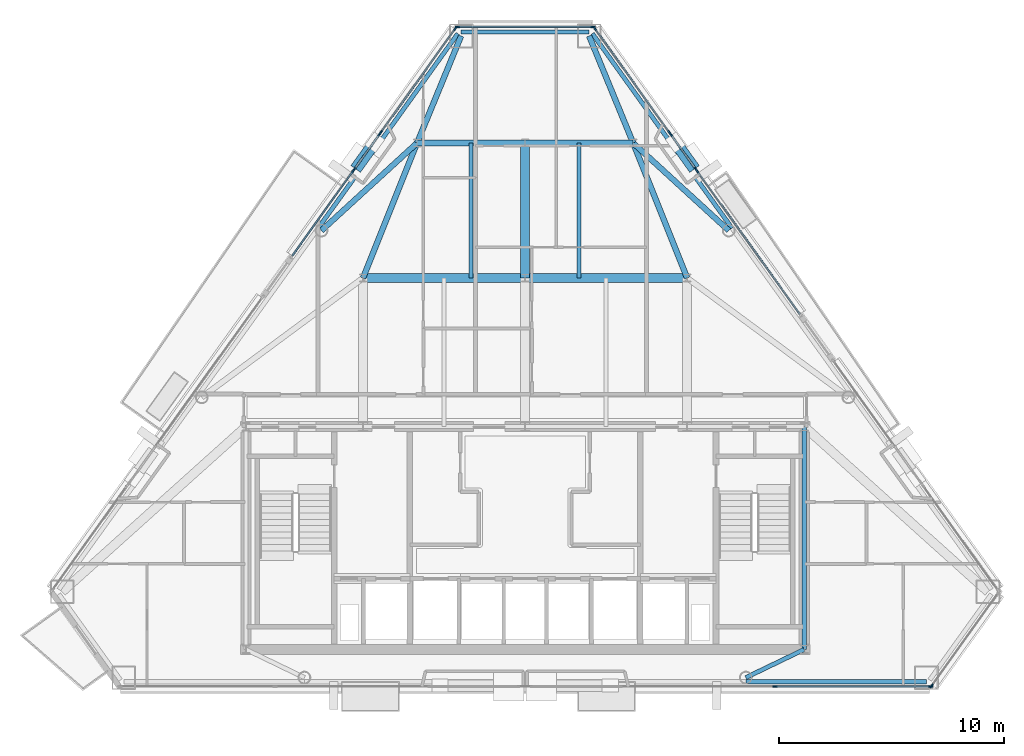
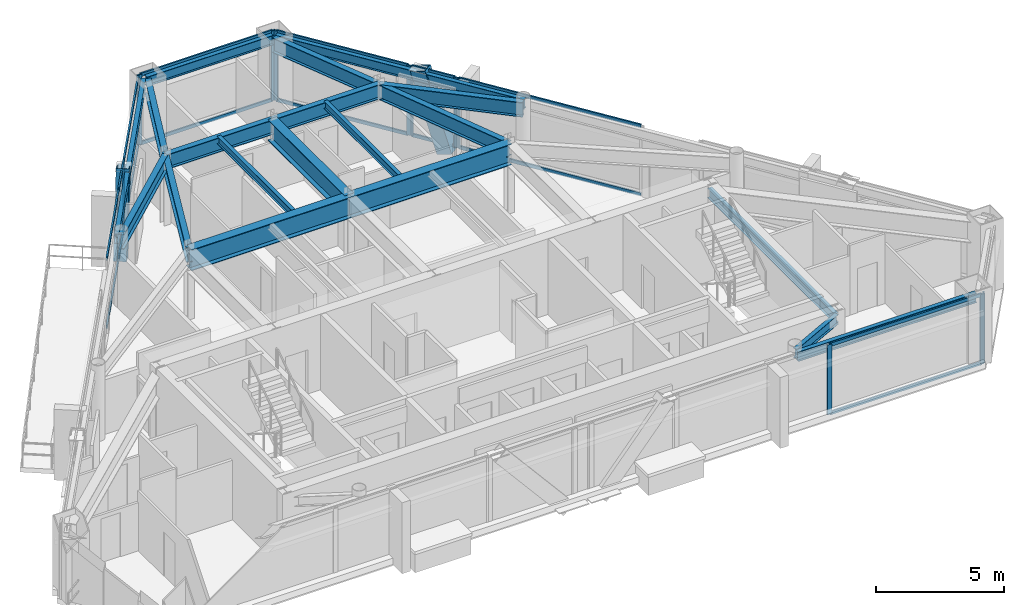
# One storey, part 4 of 12: 33 members, 19 beams, 9 elements without a shape of their own.
"""IFC4 building model written with IfcOpenShell, lengths in metres."""

from ifc_helpers import new_model, si_unit, direction, frame, origin, origin_2d, place, context, subcontext, project, spatial, rectangle, hollow_rectangle, i_section, extrude, material, layer, layer_set, material_profile, profile_set, type_object, element, aggregate, save


model = new_model("IFC4")

# Units and contexts
model_context = context("Model", 3, precision=1e-05, world=origin(), true_north=direction((0.0, 1.0)))
body_context = subcontext(model_context, "Body", "Model", "MODEL_VIEW")
ifc_project = project(units=[si_unit("LENGTHUNIT", "METRE"), si_unit("AREAUNIT", "SQUARE_METRE"), si_unit("VOLUMEUNIT", "CUBIC_METRE"), si_unit("PLANEANGLEUNIT", "RADIAN"), si_unit("MASSUNIT", "GRAM", prefix="KILO")], contexts=[model_context])

# Site, building, storey
site_placement = place(None, origin())
site = spatial("IfcSite", under=ifc_project, at=site_placement, CompositionType="ELEMENT")
building_placement = place(site_placement, origin())
building = spatial("IfcBuilding", under=site, at=building_placement, Name="Talgorran Terracotta Tower", CompositionType="ELEMENT")
storey_placement = place(building_placement, frame((0.0, 0.0, 225.300048828125)))
storey = spatial("IfcBuildingStorey", under=building, at=storey_placement, Name="L59", CompositionType="ELEMENT", Elevation=225.300048828125)

# Beams
ifc_material_1 = material(Name="Steel Grade 350 (350L0)", Category="steel")
ifc_material_profile_1 = material_profile(ifc_material_1, i_section(OverallWidth=0.39990234375, OverallDepth=1.0, WebThickness=0.01611328125, FlangeThickness=0.031005859375, at=origin_2d()), Name="1000WB296")
ifc_profile_set_1 = profile_set([ifc_material_profile_1], Name="Steel Grade 350 (350L0)")
beam_type_1 = type_object("IfcBeamType", Name="BM_1000WB296", PredefinedType="BEAM", material=ifc_profile_set_1)
for number, where, z_axis, x_axis, name in (
    (1, (-7.199951171875, 2.39990234375, 2.820068359375), (1.0, 0.0, 0.0), (0.0, 1.0, 0.0), "L59 Floor Girder G04"),
    (2, (0.0, 2.39990234375, 2.820068359375), (1.0, 0.0, 0.0), (0.0, 1.0, 0.0), "L59 Floor Girder G05"),
):
    element("IfcBeam", number, at=place(storey_placement, frame(where, z_axis=z_axis, x_axis=x_axis)), inside=storey, type_object=beam_type_1, Name=name, PredefinedType="BEAM", context=body_context, shape_type="SweptSolid", body=[
        extrude(i_section(OverallWidth=0.39990234375, OverallDepth=1.0, WebThickness=0.01611328125, FlangeThickness=0.031005859375, at=origin_2d()), origin(), (0.0, 0.0, 1.0), 7.199951171875),
    ])
beam_1_placement = place(storey_placement, frame((0.0, 2.39990234375, 2.820068359375), z_axis=(0.0, 1.0, 0.0), x_axis=(-1.0, 0.0, 0.0)))
element("IfcBeam", 3, at=beam_1_placement, inside=storey, type_object=beam_type_1, Name="L59 Floor Girder G09", PredefinedType="BEAM", context=body_context, shape_type="SweptSolid", body=[
    extrude(i_section(OverallWidth=0.39990234375, OverallDepth=1.0, WebThickness=0.01611328125, FlangeThickness=0.031005859375, at=origin_2d()), origin(), (0.0, 0.0, 1.0), 6.0),
])
ifc_material_2 = material(Name="Steel S355 (300PLUS)", Category="steel")
ifc_material_profile_2 = material_profile(ifc_material_2, i_section(OverallWidth=0.25, OverallDepth=0.699951171875, WebThickness=0.011962890625, FlangeThickness=0.02392578125, at=origin_2d()), Name="700WB150")
ifc_profile_set_2 = profile_set([ifc_material_profile_2], Name="Steel S355 (300PLUS)")
beam_type_2 = type_object("IfcBeamType", Name="BM_700WB150", PredefinedType="BEAM", material=ifc_profile_set_2)
for number, where, z_axis, x_axis, name in (
    (4, (-7.199951171875, 2.39990234375, 2.969970703125), (0.371377648723, 0.928481901832, 0.0), (-0.928481901832, 0.371377648723, 0.0), "L59 Floor Girder G08"),
    (5, (7.199951171875, 2.39990234375, 2.969970703125), (-0.371377648723, 0.928481901832, 0.0), (-0.928481901832, -0.371377648723, 0.0), "L59 Floor Girder G10"),
):
    element("IfcBeam", number, at=place(storey_placement, frame(where, z_axis=z_axis, x_axis=x_axis)), inside=storey, type_object=beam_type_2, Name=name, PredefinedType="BEAM", context=body_context, shape_type="SweptSolid", body=[
        extrude(i_section(OverallWidth=0.25, OverallDepth=0.699951171875, WebThickness=0.011962890625, FlangeThickness=0.02392578125, at=origin_2d()), origin(), (0.0, 0.0, 1.0), 6.462158203125),
    ])
for number, where, z_axis, x_axis, name in (
    (6, (-4.800048828125, 8.39990234375, 2.969970703125), (1.0, 0.0, 0.0), (0.0, 1.0, 0.0), "L59 Floor Girder G11"),
    (7, (0.0, 8.39990234375, 2.969970703125), (1.0, 0.0, 0.0), (0.0, 1.0, 0.0), "L59 Floor Girder G12"),
):
    element("IfcBeam", number, at=place(storey_placement, frame(where, z_axis=z_axis, x_axis=x_axis)), inside=storey, type_object=beam_type_2, Name=name, PredefinedType="BEAM", context=body_context, shape_type="SweptSolid", body=[
        extrude(i_section(OverallWidth=0.25, OverallDepth=0.699951171875, WebThickness=0.011962890625, FlangeThickness=0.02392578125, at=origin_2d()), origin(), (0.0, 0.0, 1.0), 4.800048828125),
    ])
for number, where, z_axis, x_axis, name in (
    (8, (-4.800048828125, 8.39990234375, 2.969970703125), (-0.737419827565, -0.675434673313, 0.0), (0.675434673313, -0.737419827565, 0.0), "L59 Floor Girder G13"),
    (9, (4.800048828125, 8.39990234375, 2.969970703125), (0.737419827565, -0.675434673313, 0.0), (0.675434673313, 0.737419827565, 0.0), "L59 Floor Girder G14"),
):
    element("IfcBeam", number, at=place(storey_placement, frame(where, z_axis=z_axis, x_axis=x_axis)), inside=storey, type_object=beam_type_2, Name=name, PredefinedType="BEAM", context=body_context, shape_type="SweptSolid", body=[
        extrude(i_section(OverallWidth=0.25, OverallDepth=0.699951171875, WebThickness=0.011962890625, FlangeThickness=0.02392578125, at=origin_2d()), origin(), (0.0, 0.0, 1.0), 5.75830078125),
    ])
for number, where, z_axis, x_axis, name in (
    (10, (-4.800048828125, 8.39990234375, 2.969970703125), (0.380723528032, 0.924688918071, 0.0), (-0.924688918071, 0.380723528032, 0.0), "L59 Floor Girder G15"),
    (11, (4.800048828125, 8.39990234375, 2.969970703125), (-0.380723528032, 0.924688918071, 0.0), (-0.924688918071, -0.380723528032, 0.0), "L59 Floor Girder G16"),
):
    element("IfcBeam", number, at=place(storey_placement, frame(where, z_axis=z_axis, x_axis=x_axis)), inside=storey, type_object=beam_type_2, Name=name, PredefinedType="BEAM", context=body_context, shape_type="SweptSolid", body=[
        extrude(i_section(OverallWidth=0.25, OverallDepth=0.699951171875, WebThickness=0.011962890625, FlangeThickness=0.02392578125, at=origin_2d()), origin(), (0.0, 0.0, 1.0), 5.140380859375),
    ])
ifc_material_profile_3 = material_profile(ifc_material_2, i_section(OverallWidth=0.17138671875, OverallDepth=0.355712890625, WebThickness=0.00732421875, FlangeThickness=0.011474609375, at=origin_2d()), Name="360UB50.7")
ifc_profile_set_3 = profile_set([ifc_material_profile_3], Name="Steel S355 (300PLUS)")
beam_type_3 = type_object("IfcBeamType", Name="BM_JS_360UB51", PredefinedType="JOIST", material=ifc_profile_set_3)
for number, where, z_axis, x_axis, name in (
    (12, (-2.39990234375, 2.39990234375, 3.14208984375), (0.0, 1.0, 0.0), (-1.0, 0.0, 0.0), "L59 Secondary Joist J03"),
    (13, (2.39990234375, 2.39990234375, 3.14208984375), (0.0, 1.0, 0.0), (-1.0, 0.0, 0.0), "L59 Secondary Joist J04"),
):
    element("IfcBeam", number, at=place(storey_placement, frame(where, z_axis=z_axis, x_axis=x_axis)), inside=storey, type_object=beam_type_3, Name=name, PredefinedType="JOIST", context=body_context, shape_type="SweptSolid", body=[
        extrude(i_section(OverallWidth=0.17138671875, OverallDepth=0.355712890625, WebThickness=0.00732421875, FlangeThickness=0.011474609375, at=origin_2d()), origin(), (0.0, 0.0, 1.0), 6.0),
    ])
ifc_material_profile_4 = material_profile(ifc_material_2, i_section(OverallWidth=0.18994140625, OverallDepth=0.45703125, WebThickness=0.009033203125, FlangeThickness=0.014404296875, at=origin_2d()), Name="460UB74.6")
ifc_profile_set_4 = profile_set([ifc_material_profile_4], Name="Steel S355 (300PLUS)")
beam_type_4 = type_object("IfcBeamType", Name="BM_SP_460UB74", PredefinedType="SPANDREL", material=ifc_profile_set_4)
beam_2_placement = place(storey_placement, frame((9.806640625, -15.5322265625, 3.091552734375), z_axis=(1.0, 0.0, 0.0), x_axis=(0.0, 1.0, 0.0)))
element("IfcBeam", 14, at=beam_2_placement, inside=storey, type_object=beam_type_4, Name="L59 Perimeter Spandrel Beam FC2-MC3", PredefinedType="SPANDREL", context=body_context, shape_type="SweptSolid", body=[
    extrude(i_section(OverallWidth=0.18994140625, OverallDepth=0.45703125, WebThickness=0.009033203125, FlangeThickness=0.014404296875, at=origin_2d()), origin(), (0.0, 0.0, 1.0), 8.0234375),
])
beam_3_placement = place(storey_placement, frame((9.192626953125, 4.615478515625, 3.091552734375), z_axis=(-0.583110094649, 0.812393142216, 0.0), x_axis=(-0.812393142216, -0.583110094649, 0.0)))
element("IfcBeam", 15, at=beam_3_placement, inside=storey, type_object=beam_type_4, Name="L59 Perimeter Spandrel Beam FC4-MC5", PredefinedType="SPANDREL", context=body_context, shape_type="SweptSolid", body=[
    extrude(i_section(OverallWidth=0.18994140625, OverallDepth=0.45703125, WebThickness=0.009033203125, FlangeThickness=0.014404296875, at=origin_2d()), origin(), (0.0, 0.0, 1.0), 10.638427734375),
])
beam_4_placement = place(storey_placement, frame((2.843017578125, 13.3330078125, 3.091552734375), z_axis=(-1.0, 0.0, 0.0), x_axis=(0.0, -1.0, 0.0)))
element("IfcBeam", 16, at=beam_4_placement, inside=storey, type_object=beam_type_4, Name="L59 Perimeter Spandrel Beam MC5-MC6", PredefinedType="SPANDREL", context=body_context, shape_type="SweptSolid", body=[
    extrude(i_section(OverallWidth=0.18994140625, OverallDepth=0.45703125, WebThickness=0.009033203125, FlangeThickness=0.014404296875, at=origin_2d()), origin(), (0.0, 0.0, 1.0), 5.68603515625),
])
beam_5_placement = place(storey_placement, frame((-2.9892578125, 13.258056640625, 3.091552734375), z_axis=(-0.583110094649, -0.812393142216, 0.0), x_axis=(0.812393142216, -0.583110094649, 0.0)))
element("IfcBeam", 17, at=beam_5_placement, inside=storey, type_object=beam_type_4, Name="L59 Perimeter Spandrel Beam MC6-FC5", PredefinedType="SPANDREL", context=body_context, shape_type="SweptSolid", body=[
    extrude(i_section(OverallWidth=0.18994140625, OverallDepth=0.45703125, WebThickness=0.009033203125, FlangeThickness=0.014404296875, at=origin_2d()), origin(), (0.0, 0.0, 1.0), 10.638427734375),
])
beam_6_placement = place(storey_placement, frame((12.39990234375, -14.10009765625, 3.091552734375), z_axis=(-0.900513862936, -0.434827302109, 0.0), x_axis=(0.434827302109, -0.900513862936, 0.0)))
element("IfcBeam", 18, at=beam_6_placement, inside=storey, type_object=beam_type_4, Name="L59 South-East Core Tie Beam", PredefinedType="SPANDREL", context=body_context, shape_type="SweptSolid", body=[
    extrude(i_section(OverallWidth=0.18994140625, OverallDepth=0.45703125, WebThickness=0.009033203125, FlangeThickness=0.014404296875, at=origin_2d()), origin(), (0.0, 0.0, 1.0), 2.879638671875),
])
beam_7_placement = place(storey_placement, frame((12.39990234375, -14.10009765625, 3.091552734375), z_axis=(0.0, 1.0, 0.0), x_axis=(-1.0, 0.0, 0.0)))
element("IfcBeam", 19, at=beam_7_placement, inside=storey, type_object=beam_type_4, Name="L59 Core Frame Beam CFE", PredefinedType="SPANDREL", context=body_context, shape_type="SweptSolid", body=[
    extrude(i_section(OverallWidth=0.18994140625, OverallDepth=0.45703125, WebThickness=0.009033203125, FlangeThickness=0.014404296875, at=origin_2d()), origin(), (0.0, 0.0, 1.0), 9.900146484375),
])

# Members
ifc_material_profile_5 = material_profile(ifc_material_1, hollow_rectangle(XDim=0.52001953125, YDim=0.659912109375, WallThickness=0.034912109375, at=origin_2d()), Name="WBOX660X520X35")
ifc_profile_set_5 = profile_set([ifc_material_profile_5], Name="Steel Grade 350 (350L0)")
member_type_1 = type_object("IfcMemberType", Name="MB_MEGA_660", PredefinedType="BRACE", material=ifc_profile_set_5)
for number, where, z_axis, x_axis, name in (
    (20, (7.343505859375, 7.50048828125, -0.275146484375), (-0.17527656221, 0.244165075284, 0.953761785118), (-0.812357527151, -0.583159710613, 0.0), "L59 Exterior Face Mega-Brace MB-3 (NEU)"),
    (21, (-7.343505859375, 7.50048828125, -0.275146484375), (0.17527656221, 0.244165075284, 0.953761785118), (-0.812357527151, 0.583159710613, 0.0), "L59 Exterior Face Mega-Brace MB-3 (NWU)"),
):
    element("IfcMember", number, at=place(storey_placement, frame(where, z_axis=z_axis, x_axis=x_axis)), inside=storey, type_object=member_type_1, Name=name, PredefinedType="BRACE", context=body_context, shape_type="SweptSolid", body=[
        extrude(hollow_rectangle(XDim=0.52001953125, YDim=0.659912109375, WallThickness=0.034912109375, at=origin_2d()), origin(), (0.0, 0.0, 1.0), 3.795654296875),
    ])

# Curtain wall, members
ifc_material_3 = material(Name="High-Wind Unitised Glazing", Category="glass")
ifc_layer = layer(ifc_material_3, 0.2099609375, Name="CW_SYS3_RES_HIGH")
ifc_layer_set = layer_set([ifc_layer], Name="High-Wind Unitised Glazing")
curtain_wall_type = type_object("IfcCurtainWallType", Name="CW_SYS3_RES_HIGH", PredefinedType="NOTDEFINED", material=ifc_layer_set)
curtain_wall_1_placement = place(storey_placement, origin())
curtain_wall_1 = element("IfcCurtainWall", 22, at=curtain_wall_1_placement, inside=storey, type_object=curtain_wall_type, Name="CW-L59-F1E", PredefinedType="NOTDEFINED")
ifc_material_4 = material(Name="Architectural Aluminium 6063-T6", Category="aluminium")
ifc_material_profile_6 = material_profile(ifc_material_4, rectangle(XDim=0.070068359375, YDim=0.199951171875, at=origin_2d()), Name="CWM70X200")
ifc_profile_set_6 = profile_set([ifc_material_profile_6], Name="Architectural Aluminium 6063-T6")
member_type_2 = type_object("IfcMemberType", Name="MUL_70X200", PredefinedType="MULLION", material=ifc_profile_set_6)
member_1_placement = place(storey_placement, frame((11.11279296875, -15.752197265625, 0.0), z_axis=(0.0, 0.0, 1.0), x_axis=(0.0, 1.0, 0.0)))
member_1 = element("IfcMember", 23, at=member_1_placement, type_object=member_type_2, Name="CW-L59-1E mullion 2", PredefinedType="MULLION", context=body_context, shape_type="SweptSolid", body=[
    extrude(rectangle(XDim=0.070068359375, YDim=0.199951171875, at=origin_2d()), origin(), (0.0, 0.0, 1.0), 3.320068359375),
])
member_2_placement = place(storey_placement, frame((18.00048828125, -15.752197265625, 0.0), z_axis=(0.0, 0.0, 1.0), x_axis=(0.0, 1.0, 0.0)))
member_2 = element("IfcMember", 24, at=member_2_placement, type_object=member_type_2, Name="CW-L59-1E mullion 3", PredefinedType="MULLION", context=body_context, shape_type="SweptSolid", body=[
    extrude(rectangle(XDim=0.070068359375, YDim=0.199951171875, at=origin_2d()), origin(), (0.0, 0.0, 1.0), 3.320068359375),
])

# Curtain wall, member
curtain_wall_2_placement = place(storey_placement, origin())
curtain_wall_2 = element("IfcCurtainWall", 25, at=curtain_wall_2_placement, inside=storey, type_object=curtain_wall_type, Name="CW-L59-F2", PredefinedType="NOTDEFINED")
member_3_placement = place(storey_placement, frame((18.055908203125, -15.723876953125, 0.0), z_axis=(0.0, 0.0, 1.0), x_axis=(-0.812390492916, 0.583113785654, 0.0)))
member_3 = element("IfcMember", 26, at=member_3_placement, type_object=member_type_2, Name="CW-L59-2 mullion 1", PredefinedType="MULLION", context=body_context, shape_type="SweptSolid", body=[
    extrude(rectangle(XDim=0.070068359375, YDim=0.199951171875, at=origin_2d()), origin(), (0.0, 0.0, 1.0), 3.320068359375),
])
aggregate(curtain_wall_2, [member_3])

curtain_wall_3_placement = place(storey_placement, origin())
curtain_wall_3 = element("IfcCurtainWall", 27, at=curtain_wall_3_placement, inside=storey, type_object=curtain_wall_type, Name="CW-L59-F41", PredefinedType="NOTDEFINED")
member_4_placement = place(storey_placement, frame((7.637939453125, 7.15869140625, 0.0), z_axis=(0.0, 0.0, 1.0), x_axis=(-0.812389836737, -0.583114699837, 0.0)))
member_4 = element("IfcMember", 28, at=member_4_placement, type_object=member_type_2, Name="CW-L59-41 mullion 2", PredefinedType="MULLION", context=body_context, shape_type="SweptSolid", body=[
    extrude(rectangle(XDim=0.070068359375, YDim=0.199951171875, at=origin_2d()), origin(), (0.0, 0.0, 1.0), 3.320068359375),
])

# Curtain wall, members
curtain_wall_4_placement = place(storey_placement, origin())
curtain_wall_4 = element("IfcCurtainWall", 29, at=curtain_wall_4_placement, inside=storey, type_object=curtain_wall_type, Name="CW-L59-F41B", PredefinedType="NOTDEFINED")
member_5_placement = place(storey_placement, frame((7.59130859375, 7.2236328125, 0.0), z_axis=(0.0, 0.0, 1.0), x_axis=(-0.812410361785, -0.583086103473, 0.0)))
member_5 = element("IfcMember", 30, at=member_5_placement, type_object=member_type_2, Name="CW-L59-41B mullion 1", PredefinedType="MULLION", context=body_context, shape_type="SweptSolid", body=[
    extrude(rectangle(XDim=0.070068359375, YDim=0.199951171875, at=origin_2d()), origin(), (0.0, 0.0, 1.0), 3.320068359375),
])
member_6_placement = place(storey_placement, frame((6.462890625, 8.795654296875, 0.0), z_axis=(0.0, 0.0, 1.0), x_axis=(-0.812410361785, -0.583086103473, 0.0)))
member_6 = element("IfcMember", 31, at=member_6_placement, type_object=member_type_2, Name="CW-L59-41B mullion 2", PredefinedType="MULLION", context=body_context, shape_type="SweptSolid", body=[
    extrude(rectangle(XDim=0.070068359375, YDim=0.199951171875, at=origin_2d()), origin(), (0.0, 0.0, 1.0), 3.320068359375),
])

curtain_wall_5_placement = place(storey_placement, origin())
curtain_wall_5 = element("IfcCurtainWall", 32, at=curtain_wall_5_placement, inside=storey, type_object=curtain_wall_type, Name="CW-L59-F41C", PredefinedType="NOTDEFINED")
member_7_placement = place(storey_placement, frame((6.416259765625, 8.860595703125, 0.0), z_axis=(0.0, 0.0, 1.0), x_axis=(-0.812394242953, -0.58310856109, 0.0)))
member_7 = element("IfcMember", 33, at=member_7_placement, type_object=member_type_2, Name="CW-L59-41C mullion 1", PredefinedType="MULLION", context=body_context, shape_type="SweptSolid", body=[
    extrude(rectangle(XDim=0.070068359375, YDim=0.199951171875, at=origin_2d()), origin(), (0.0, 0.0, 1.0), 3.320068359375),
])
member_8_placement = place(storey_placement, frame((3.092041015625, 13.4921875, 0.0), z_axis=(0.0, 0.0, 1.0), x_axis=(-0.812394242953, -0.58310856109, 0.0)))
member_8 = element("IfcMember", 34, at=member_8_placement, type_object=member_type_2, Name="CW-L59-41C mullion 2", PredefinedType="MULLION", context=body_context, shape_type="SweptSolid", body=[
    extrude(rectangle(XDim=0.070068359375, YDim=0.199951171875, at=origin_2d()), origin(), (0.0, 0.0, 1.0), 3.320068359375),
])

curtain_wall_6_placement = place(storey_placement, origin())
curtain_wall_6 = element("IfcCurtainWall", 35, at=curtain_wall_6_placement, inside=storey, type_object=curtain_wall_type, Name="CW-L59-F4", PredefinedType="NOTDEFINED")
member_9_placement = place(storey_placement, frame((3.01318359375, 13.552978515625, 0.0), z_axis=(0.0, 0.0, 1.0), x_axis=(0.0, -1.0, 0.0)))
member_9 = element("IfcMember", 36, at=member_9_placement, type_object=member_type_2, Name="CW-L59-4 mullion 1", PredefinedType="MULLION", context=body_context, shape_type="SweptSolid", body=[
    extrude(rectangle(XDim=0.070068359375, YDim=0.199951171875, at=origin_2d()), origin(), (0.0, 0.0, 1.0), 3.320068359375),
])
member_10_placement = place(storey_placement, frame((-3.01318359375, 13.552978515625, 0.0), z_axis=(0.0, 0.0, 1.0), x_axis=(0.0, -1.0, 0.0)))
member_10 = element("IfcMember", 37, at=member_10_placement, type_object=member_type_2, Name="CW-L59-4 mullion 2", PredefinedType="MULLION", context=body_context, shape_type="SweptSolid", body=[
    extrude(rectangle(XDim=0.070068359375, YDim=0.199951171875, at=origin_2d()), origin(), (0.0, 0.0, 1.0), 3.320068359375),
])

curtain_wall_7_placement = place(storey_placement, origin())
curtain_wall_7 = element("IfcCurtainWall", 38, at=curtain_wall_7_placement, inside=storey, type_object=curtain_wall_type, Name="CW-L59-F60", PredefinedType="NOTDEFINED")
member_11_placement = place(storey_placement, frame((-3.092041015625, 13.4921875, 0.0), z_axis=(0.0, 0.0, 1.0), x_axis=(0.812394242953, -0.58310856109, 0.0)))
member_11 = element("IfcMember", 39, at=member_11_placement, type_object=member_type_2, Name="CW-L59-60 mullion 1", PredefinedType="MULLION", context=body_context, shape_type="SweptSolid", body=[
    extrude(rectangle(XDim=0.070068359375, YDim=0.199951171875, at=origin_2d()), origin(), (0.0, 0.0, 1.0), 3.320068359375),
])
member_12_placement = place(storey_placement, frame((-6.416259765625, 8.860595703125, 0.0), z_axis=(0.0, 0.0, 1.0), x_axis=(0.812394242953, -0.58310856109, 0.0)))
member_12 = element("IfcMember", 40, at=member_12_placement, type_object=member_type_2, Name="CW-L59-60 mullion 2", PredefinedType="MULLION", context=body_context, shape_type="SweptSolid", body=[
    extrude(rectangle(XDim=0.070068359375, YDim=0.199951171875, at=origin_2d()), origin(), (0.0, 0.0, 1.0), 3.320068359375),
])

curtain_wall_8_placement = place(storey_placement, origin())
curtain_wall_8 = element("IfcCurtainWall", 41, at=curtain_wall_8_placement, inside=storey, type_object=curtain_wall_type, Name="CW-L59-F60B", PredefinedType="NOTDEFINED")
member_13_placement = place(storey_placement, frame((-6.462890625, 8.795654296875, 0.0), z_axis=(0.0, 0.0, 1.0), x_axis=(0.812410361785, -0.583086103473, 0.0)))
member_13 = element("IfcMember", 42, at=member_13_placement, type_object=member_type_2, Name="CW-L59-60B mullion 1", PredefinedType="MULLION", context=body_context, shape_type="SweptSolid", body=[
    extrude(rectangle(XDim=0.070068359375, YDim=0.199951171875, at=origin_2d()), origin(), (0.0, 0.0, 1.0), 3.320068359375),
])
member_14_placement = place(storey_placement, frame((-7.59130859375, 7.2236328125, 0.0), z_axis=(0.0, 0.0, 1.0), x_axis=(0.812410361785, -0.583086103473, 0.0)))
member_14 = element("IfcMember", 43, at=member_14_placement, type_object=member_type_2, Name="CW-L59-60B mullion 2", PredefinedType="MULLION", context=body_context, shape_type="SweptSolid", body=[
    extrude(rectangle(XDim=0.070068359375, YDim=0.199951171875, at=origin_2d()), origin(), (0.0, 0.0, 1.0), 3.320068359375),
])

# Curtain wall, member
curtain_wall_9_placement = place(storey_placement, origin())
curtain_wall_9 = element("IfcCurtainWall", 44, at=curtain_wall_9_placement, inside=storey, type_object=curtain_wall_type, Name="CW-L59-F60C", PredefinedType="NOTDEFINED")
member_15_placement = place(storey_placement, frame((-7.637939453125, 7.15869140625, 0.0), z_axis=(0.0, 0.0, 1.0), x_axis=(0.812393890019, -0.583109052802, 0.0)))
member_15 = element("IfcMember", 45, at=member_15_placement, type_object=member_type_2, Name="CW-L59-60C mullion 1", PredefinedType="MULLION", context=body_context, shape_type="SweptSolid", body=[
    extrude(rectangle(XDim=0.070068359375, YDim=0.199951171875, at=origin_2d()), origin(), (0.0, 0.0, 1.0), 3.320068359375),
])

# Member
ifc_material_profile_7 = material_profile(ifc_material_4, rectangle(XDim=0.070068359375, YDim=0.159912109375, at=origin_2d()), Name="CWT70X160")
ifc_profile_set_7 = profile_set([ifc_material_profile_7], Name="Architectural Aluminium 6063-T6")
member_type_3 = type_object("IfcMemberType", Name="TRN_70X160", PredefinedType="USERDEFINED", material=ifc_profile_set_7)
member_16_placement = place(storey_placement, frame((11.147705078125, -15.752197265625, 0.034912109375), z_axis=(1.0, 0.0, 0.0), x_axis=(0.0, 1.0, 0.0)))
member_16 = element("IfcMember", 46, at=member_16_placement, type_object=member_type_3, Name="CW-L59-1E transom 2.1", ObjectType="TRANSOM", PredefinedType="USERDEFINED", context=body_context, shape_type="SweptSolid", body=[
    extrude(rectangle(XDim=0.070068359375, YDim=0.159912109375, at=origin_2d()), origin(), (0.0, 0.0, 1.0), 6.817626953125),
])

member_17_placement = place(storey_placement, frame((11.147705078125, -15.752197265625, 3.284912109375), z_axis=(1.0, 0.0, 0.0), x_axis=(0.0, 1.0, 0.0)))
member_17 = element("IfcMember", 47, at=member_17_placement, type_object=member_type_3, Name="CW-L59-1E transom 2.2", ObjectType="TRANSOM", PredefinedType="USERDEFINED", context=body_context, shape_type="SweptSolid", body=[
    extrude(rectangle(XDim=0.070068359375, YDim=0.159912109375, at=origin_2d()), origin(), (0.0, 0.0, 1.0), 6.817626953125),
])

aggregate(curtain_wall_1, [member_1, member_2, member_16, member_17])

member_18_placement = place(storey_placement, frame((12.20556640625, 0.795166015625, 0.034912109375), z_axis=(-0.583137917556, 0.812373171091, 0.0), x_axis=(-0.812373171091, -0.583137917556, 0.0)))
member_18 = element("IfcMember", 48, at=member_18_placement, type_object=member_type_3, Name="CW-L59-41 transom 1.1", ObjectType="TRANSOM", PredefinedType="USERDEFINED", context=body_context, shape_type="SweptSolid", body=[
    extrude(rectangle(XDim=0.070068359375, YDim=0.159912109375, at=origin_2d()), origin(), (0.0, 0.0, 1.0), 7.798095703125),
])

member_19_placement = place(storey_placement, frame((12.20556640625, 0.795166015625, 3.284912109375), z_axis=(-0.583137917556, 0.812373171091, 0.0), x_axis=(-0.812373171091, -0.583137917556, 0.0)))
member_19 = element("IfcMember", 49, at=member_19_placement, type_object=member_type_3, Name="CW-L59-41 transom 1.2", ObjectType="TRANSOM", PredefinedType="USERDEFINED", context=body_context, shape_type="SweptSolid", body=[
    extrude(rectangle(XDim=0.070068359375, YDim=0.159912109375, at=origin_2d()), origin(), (0.0, 0.0, 1.0), 7.798095703125),
])

aggregate(curtain_wall_3, [member_4, member_18, member_19])

member_20_placement = place(storey_placement, frame((7.57080078125, 7.251953125, 0.034912109375), z_axis=(-0.583007441315, 0.812466813705, 0.0), x_axis=(-0.812466813705, -0.583007441315, 0.0)))
member_20 = element("IfcMember", 50, at=member_20_placement, type_object=member_type_3, Name="CW-L59-41B transom 1.1", ObjectType="TRANSOM", PredefinedType="USERDEFINED", context=body_context, shape_type="SweptSolid", body=[
    extrude(rectangle(XDim=0.070068359375, YDim=0.159912109375, at=origin_2d()), origin(), (0.0, 0.0, 1.0), 1.865234375),
])

member_21_placement = place(storey_placement, frame((7.57080078125, 7.251953125, 3.284912109375), z_axis=(-0.583007441315, 0.812466813705, 0.0), x_axis=(-0.812466813705, -0.583007441315, 0.0)))
member_21 = element("IfcMember", 51, at=member_21_placement, type_object=member_type_3, Name="CW-L59-41B transom 1.2", ObjectType="TRANSOM", PredefinedType="USERDEFINED", context=body_context, shape_type="SweptSolid", body=[
    extrude(rectangle(XDim=0.070068359375, YDim=0.159912109375, at=origin_2d()), origin(), (0.0, 0.0, 1.0), 1.865234375),
])

aggregate(curtain_wall_4, [member_5, member_6, member_20, member_21])

member_22_placement = place(storey_placement, frame((6.39599609375, 8.88916015625, 0.034912109375), z_axis=(-0.583143693526, 0.812369024952, 0.0), x_axis=(-0.812369024952, -0.583143693526, 0.0)))
member_22 = element("IfcMember", 52, at=member_22_placement, type_object=member_type_3, Name="CW-L59-41C transom 1.1", ObjectType="TRANSOM", PredefinedType="USERDEFINED", context=body_context, shape_type="SweptSolid", body=[
    extrude(rectangle(XDim=0.070068359375, YDim=0.159912109375, at=origin_2d()), origin(), (0.0, 0.0, 1.0), 5.631103515625),
])

member_23_placement = place(storey_placement, frame((6.39599609375, 8.88916015625, 3.284912109375), z_axis=(-0.583143693526, 0.812369024952, 0.0), x_axis=(-0.812369024952, -0.583143693526, 0.0)))
member_23 = element("IfcMember", 53, at=member_23_placement, type_object=member_type_3, Name="CW-L59-41C transom 1.2", ObjectType="TRANSOM", PredefinedType="USERDEFINED", context=body_context, shape_type="SweptSolid", body=[
    extrude(rectangle(XDim=0.070068359375, YDim=0.159912109375, at=origin_2d()), origin(), (0.0, 0.0, 1.0), 5.631103515625),
])

aggregate(curtain_wall_5, [member_7, member_8, member_22, member_23])

member_24_placement = place(storey_placement, frame((2.978271484375, 13.552978515625, 0.034912109375), z_axis=(-1.0, 0.0, 0.0), x_axis=(0.0, -1.0, 0.0)))
member_24 = element("IfcMember", 54, at=member_24_placement, type_object=member_type_3, Name="CW-L59-4 transom 1.1", ObjectType="TRANSOM", PredefinedType="USERDEFINED", context=body_context, shape_type="SweptSolid", body=[
    extrude(rectangle(XDim=0.070068359375, YDim=0.159912109375, at=origin_2d()), origin(), (0.0, 0.0, 1.0), 5.95654296875),
])

member_25_placement = place(storey_placement, frame((2.978271484375, 13.552978515625, 3.284912109375), z_axis=(-1.0, 0.0, 0.0), x_axis=(0.0, -1.0, 0.0)))
member_25 = element("IfcMember", 55, at=member_25_placement, type_object=member_type_3, Name="CW-L59-4 transom 1.2", ObjectType="TRANSOM", PredefinedType="USERDEFINED", context=body_context, shape_type="SweptSolid", body=[
    extrude(rectangle(XDim=0.070068359375, YDim=0.159912109375, at=origin_2d()), origin(), (0.0, 0.0, 1.0), 5.95654296875),
])

aggregate(curtain_wall_6, [member_9, member_10, member_24, member_25])

member_26_placement = place(storey_placement, frame((-3.1123046875, 13.463623046875, 0.034912109375), z_axis=(-0.583143693526, -0.812369024952, 0.0), x_axis=(0.812369024952, -0.583143693526, 0.0)))
member_26 = element("IfcMember", 56, at=member_26_placement, type_object=member_type_3, Name="CW-L59-60 transom 1.1", ObjectType="TRANSOM", PredefinedType="USERDEFINED", context=body_context, shape_type="SweptSolid", body=[
    extrude(rectangle(XDim=0.070068359375, YDim=0.159912109375, at=origin_2d()), origin(), (0.0, 0.0, 1.0), 5.631103515625),
])

member_27_placement = place(storey_placement, frame((-3.1123046875, 13.463623046875, 3.284912109375), z_axis=(-0.583143693526, -0.812369024952, 0.0), x_axis=(0.812369024952, -0.583143693526, 0.0)))
member_27 = element("IfcMember", 57, at=member_27_placement, type_object=member_type_3, Name="CW-L59-60 transom 1.2", ObjectType="TRANSOM", PredefinedType="USERDEFINED", context=body_context, shape_type="SweptSolid", body=[
    extrude(rectangle(XDim=0.070068359375, YDim=0.159912109375, at=origin_2d()), origin(), (0.0, 0.0, 1.0), 5.631103515625),
])

aggregate(curtain_wall_7, [member_11, member_12, member_26, member_27])

member_28_placement = place(storey_placement, frame((-6.4833984375, 8.767333984375, 0.034912109375), z_axis=(-0.583007441315, -0.812466813705, 0.0), x_axis=(0.812466813705, -0.583007441315, 0.0)))
member_28 = element("IfcMember", 58, at=member_28_placement, type_object=member_type_3, Name="CW-L59-60B transom 1.1", ObjectType="TRANSOM", PredefinedType="USERDEFINED", context=body_context, shape_type="SweptSolid", body=[
    extrude(rectangle(XDim=0.070068359375, YDim=0.159912109375, at=origin_2d()), origin(), (0.0, 0.0, 1.0), 1.865234375),
])

member_29_placement = place(storey_placement, frame((-6.4833984375, 8.767333984375, 3.284912109375), z_axis=(-0.583007441315, -0.812466813705, 0.0), x_axis=(0.812466813705, -0.583007441315, 0.0)))
member_29 = element("IfcMember", 59, at=member_29_placement, type_object=member_type_3, Name="CW-L59-60B transom 1.2", ObjectType="TRANSOM", PredefinedType="USERDEFINED", context=body_context, shape_type="SweptSolid", body=[
    extrude(rectangle(XDim=0.070068359375, YDim=0.159912109375, at=origin_2d()), origin(), (0.0, 0.0, 1.0), 1.865234375),
])

aggregate(curtain_wall_8, [member_13, member_14, member_28, member_29])

member_30_placement = place(storey_placement, frame((-7.658447265625, 7.130126953125, 0.034912109375), z_axis=(-0.583127820656, -0.812380418755, 0.0), x_axis=(0.812380418755, -0.583127820656, 0.0)))
member_30 = element("IfcMember", 60, at=member_30_placement, type_object=member_type_3, Name="CW-L59-60C transom 1.1", ObjectType="TRANSOM", PredefinedType="USERDEFINED", context=body_context, shape_type="SweptSolid", body=[
    extrude(rectangle(XDim=0.070068359375, YDim=0.159912109375, at=origin_2d()), origin(), (0.0, 0.0, 1.0), 4.603759765625),
])

member_31_placement = place(storey_placement, frame((-7.658447265625, 7.130126953125, 3.284912109375), z_axis=(-0.583127820656, -0.812380418755, 0.0), x_axis=(0.812380418755, -0.583127820656, 0.0)))
member_31 = element("IfcMember", 61, at=member_31_placement, type_object=member_type_3, Name="CW-L59-60C transom 1.2", ObjectType="TRANSOM", PredefinedType="USERDEFINED", context=body_context, shape_type="SweptSolid", body=[
    extrude(rectangle(XDim=0.070068359375, YDim=0.159912109375, at=origin_2d()), origin(), (0.0, 0.0, 1.0), 4.603759765625),
])

aggregate(curtain_wall_9, [member_15, member_30, member_31])

save(model, "model.ifc")
